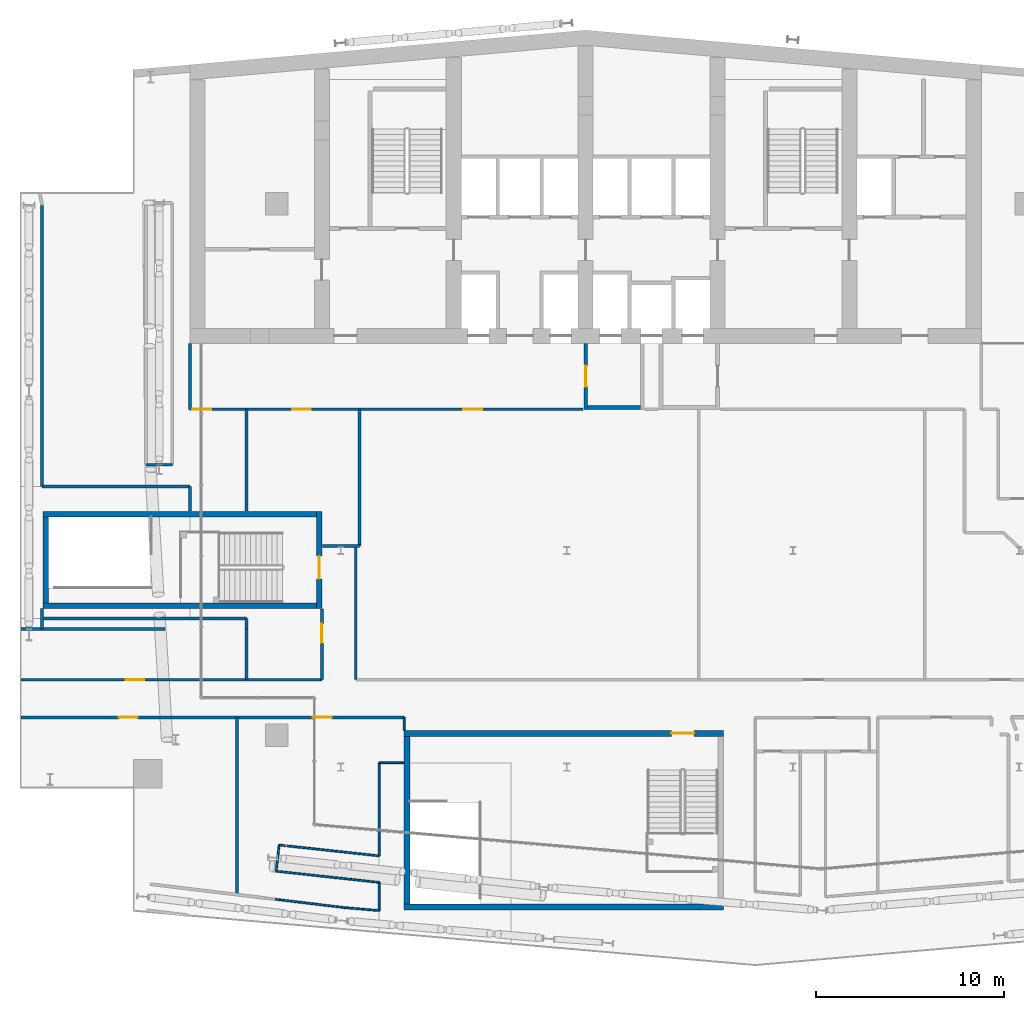
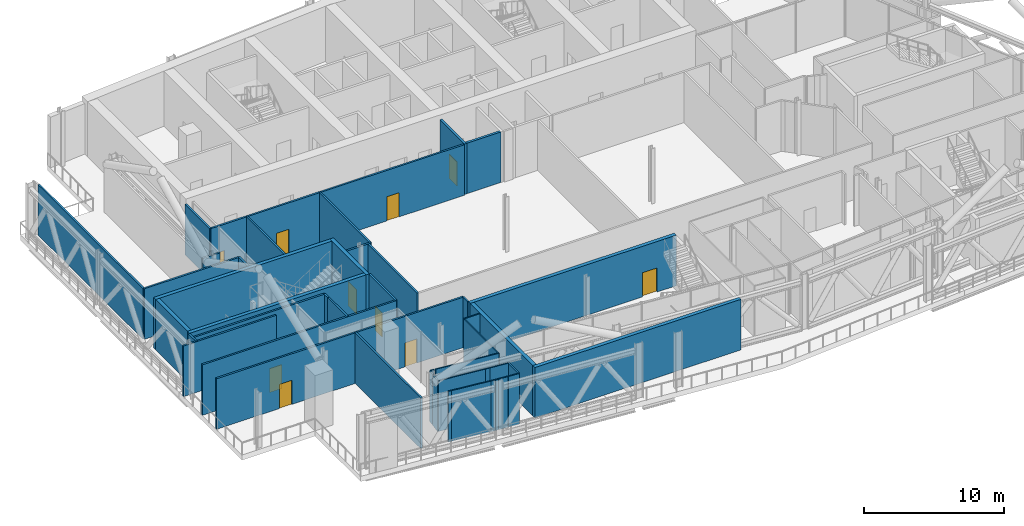
# One storey, part 13 of 35: 45 walls, 10 doors, 10 openings.
"""IFC4 building model written with IfcOpenShell, lengths in metres."""

from ifc_helpers import new_model, si_unit, direction, frame, frame_2d, origin, place, context, subcontext, project, spatial, rectangle, extrude, material, layer, layer_set, type_object, element, fill, save


model = new_model("IFC4")

# Units and contexts
model_context = context("Model", 3, precision=1e-05, world=origin(), true_north=direction((0.0, 1.0)))
body_context = subcontext(model_context, "Body", "Model", "MODEL_VIEW")
ifc_project = project(units=[si_unit("LENGTHUNIT", "METRE"), si_unit("AREAUNIT", "SQUARE_METRE"), si_unit("VOLUMEUNIT", "CUBIC_METRE"), si_unit("PLANEANGLEUNIT", "RADIAN"), si_unit("MASSUNIT", "GRAM", prefix="KILO")], contexts=[model_context])

# Site, building, storey
site_placement = place(None, origin())
site = spatial("IfcSite", under=ifc_project, at=site_placement, CompositionType="ELEMENT")
building_placement = place(site_placement, origin())
building = spatial("IfcBuilding", under=site, at=building_placement, Name="Wharfspan Tower", CompositionType="ELEMENT")
storey_placement = place(building_placement, frame((0.0, 0.0, 202.300049)))
storey = spatial("IfcBuildingStorey", under=building, at=storey_placement, Name="L50", CompositionType="ELEMENT", Elevation=202.300049)

# Wall
ifc_material_1 = material(Name="Gypsum board on steel studs", Category="steel")
ifc_layer_1 = layer(ifc_material_1, 0.100098)
ifc_layer_set_1 = layer_set([ifc_layer_1], Name="Gypsum board on steel studs")
wall_type_1 = type_object("IfcWallType", Name="Compartment wall 100 EI 60", PredefinedType="PARTITIONING", material=ifc_layer_set_1)
wall_1_placement = place(storey_placement, frame((27.36499, 13.463135, 0.0), z_axis=(0.0, 0.0, 1.0), x_axis=(0.0, 1.0, 0.0)))
element("IfcWall", 1, at=wall_1_placement, inside=storey, type_object=wall_type_1, Name="Partition L50.w045", PredefinedType="PARTITIONING", context=body_context, shape_type="SweptSolid", body=[
    extrude(rectangle(XDim=0.681885, YDim=0.100098, at=frame_2d((0.34082, 0.0))), origin(), (0.0, 0.0, 1.0), 4.399902),
])

# Wall, opening, door
ifc_material_2 = material(Name="Concrete C30/37", Category="concrete")
ifc_layer_2 = layer(ifc_material_2, 0.199951)
ifc_layer_set_2 = layer_set([ifc_layer_2], Name="Concrete C30/37")
wall_type_2 = type_object("IfcWallType", Name="Lobby wall 200", PredefinedType="PARTITIONING", material=ifc_layer_set_2)
wall_2_placement = place(storey_placement, frame((37.0, 30.5, 0.0), z_axis=(0.0, 0.0, 1.0), x_axis=(0.0, 1.0, 0.0)))
wall_2 = element("IfcWall", 2, at=wall_2_placement, inside=storey, type_object=wall_type_2, Name="sw:L50:FLFF1W", PredefinedType="PARTITIONING", context=body_context, shape_type="SweptSolid", body=[
    extrude(rectangle(XDim=3.5, YDim=0.199951, at=frame_2d((1.75, 0.0))), origin(), (0.0, 0.0, 1.0), 4.399902),
])
opening_1_placement = place(wall_2_placement, frame((1.199951, 0.0, 0.0)))
opening_1 = element("IfcOpeningElement", 3, at=opening_1_placement, cuts=wall_2, Name="Opening FL.FF1.L50", PredefinedType="OPENING", context=body_context, shape_type="SweptSolid", body=[
    extrude(rectangle(XDim=1.100098, YDim=2.100098, at=frame_2d((0.550049, 1.050049))), frame((0.0, 0.109863, 0.0), z_axis=(0.0, -1.0, 0.0), x_axis=(1.0, 0.0, 0.0)), (0.0, 0.0, 1.0), 0.219971),
])
ifc_material_3 = material(Name="Steel door leaf", Category="steel")
door_type_1 = type_object("IfcDoorType", Name="Firefighting lobby door 1100x2100", OperationType="SINGLE_SWING_LEFT", PredefinedType="DOOR", material=ifc_material_3)
door_1_placement = place(opening_1_placement, origin())
door_1 = element("IfcDoor", 4, at=door_1_placement, inside=storey, type_object=door_type_1, Name="fd:L50:FF1", OperationType="SINGLE_SWING_LEFT", OverallHeight=2.100098, OverallWidth=1.100098, PredefinedType="DOOR", context=body_context, shape_type="SweptSolid", body=[
    extrude(rectangle(XDim=1.100098, YDim=2.100098, at=frame_2d((0.550049, 1.050049))), frame((0.0, 0.024902, 0.0), z_axis=(0.0, -1.0, 0.0), x_axis=(1.0, 0.0, 0.0)), (0.0, 0.0, 1.0), 0.050049),
])
fill(opening_1, door_1)

# Walls
wall_3_placement = place(storey_placement, frame((37.100098, 30.600098, 0.0), z_axis=(0.0, 0.0, 1.0), x_axis=(1.0, 0.0, 0.0)))
element("IfcWall", 5, at=wall_3_placement, inside=storey, type_object=wall_type_2, Name="sw:L50:FLFF1F", PredefinedType="PARTITIONING", context=body_context, shape_type="SweptSolid", body=[
    extrude(rectangle(XDim=2.799805, YDim=0.199951, at=frame_2d((1.399902, 0.0))), origin(), (0.0, 0.0, 1.0), 4.399902),
])
ifc_layer_3 = layer(ifc_material_1, 0.100098)
ifc_layer_set_3 = layer_set([ifc_layer_3], Name="Gypsum board on steel studs")
wall_type_3 = type_object("IfcWallType", Name="Partition 100", PredefinedType="PARTITIONING", material=ifc_layer_set_3)
wall_4_placement = place(storey_placement, frame((20.574951, 5.97998, 0.0), z_axis=(0.0, 0.0, 1.0), x_axis=(0.1104, 0.993888, 0.0)))
element("IfcWall", 6, at=wall_4_placement, inside=storey, type_object=wall_type_3, Name="Partition L50.w024", PredefinedType="PARTITIONING", context=body_context, shape_type="SweptSolid", body=[
    extrude(rectangle(XDim=0.846924, YDim=0.100098, at=frame_2d((0.42334, 0.0))), origin(), (0.0, 0.0, 1.0), 4.399902),
])
wall_5_placement = place(storey_placement, frame((20.66748, 6.811279, 0.0), z_axis=(0.0, 0.0, 1.0), x_axis=(0.108143, 0.994134, 0.0)))
element("IfcWall", 7, at=wall_5_placement, inside=storey, type_object=wall_type_3, Name="Partition L50.w025", PredefinedType="PARTITIONING", context=body_context, shape_type="SweptSolid", body=[
    extrude(rectangle(XDim=0.562256, YDim=0.100098, at=frame_2d((0.28125, 0.0))), origin(), (0.0, 0.0, 1.0), 4.399902),
])
wall_6_placement = place(storey_placement, frame((20.784912, 4.459961, 0.0), z_axis=(0.0, 0.0, 1.0), x_axis=(-0.992562, 0.12172, 0.0)))
element("IfcWall", 8, at=wall_6_placement, inside=storey, type_object=wall_type_3, Name="Partition L50.w026", PredefinedType="PARTITIONING", context=body_context, shape_type="SweptSolid", body=[
    extrude(rectangle(XDim=0.246826, YDim=0.100098, at=frame_2d((0.123535, 0.0))), origin(), (0.0, 0.0, 1.0), 4.399902),
])
wall_7_placement = place(storey_placement, frame((21.064941, 7.334961, 0.0), z_axis=(0.0, 0.0, 1.0), x_axis=(-0.994202, 0.107562, 0.0)))
element("IfcWall", 9, at=wall_7_placement, inside=storey, type_object=wall_type_3, Name="Partition L50.w027", PredefinedType="PARTITIONING", context=body_context, shape_type="SweptSolid", body=[
    extrude(rectangle(XDim=0.326904, YDim=0.100098, at=frame_2d((0.163574, 0.0))), origin(), (0.0, 0.0, 1.0), 4.399902),
])
wall_8_placement = place(storey_placement, frame((23.814941, 4.094971, 0.0), z_axis=(0.0, 0.0, 1.0), x_axis=(-0.992822, 0.119593, 0.0)))
element("IfcWall", 10, at=wall_8_placement, inside=storey, type_object=wall_type_3, Name="Partition L50.w030", PredefinedType="PARTITIONING", context=body_context, shape_type="SweptSolid", body=[
    extrude(rectangle(XDim=3.052002, YDim=0.100098, at=frame_2d((1.525879, 0.0))), origin(), (0.0, 0.0, 1.0), 4.399902),
])
wall_9_placement = place(storey_placement, frame((24.175049, 4.050049, 0.0), z_axis=(0.0, 0.0, 1.0), x_axis=(-0.992306, 0.123786, 0.0)))
element("IfcWall", 11, at=wall_9_placement, inside=storey, type_object=wall_type_3, Name="Partition L50.w031", PredefinedType="PARTITIONING", context=body_context, shape_type="SweptSolid", body=[
    extrude(rectangle(XDim=0.362793, YDim=0.100098, at=frame_2d((0.181396, 0.0))), origin(), (0.0, 0.0, 1.0), 4.399902),
])
wall_10_placement = place(storey_placement, frame((24.25, 5.580078, 0.0), z_axis=(0.0, 0.0, 1.0), x_axis=(-0.994113, 0.108332, 0.0)))
element("IfcWall", 12, at=wall_10_placement, inside=storey, type_object=wall_type_3, Name="Partition L50.w032", PredefinedType="PARTITIONING", context=body_context, shape_type="SweptSolid", body=[
    extrude(rectangle(XDim=3.689209, YDim=0.100098, at=frame_2d((1.844727, 0.0))), origin(), (0.0, 0.0, 1.0), 4.399902),
])
wall_11_placement = place(storey_placement, frame((24.408936, 4.030029, 0.0), z_axis=(0.0, 0.0, 1.0), x_axis=(-0.996355, 0.085283, 0.0)))
element("IfcWall", 13, at=wall_11_placement, inside=storey, type_object=wall_type_3, Name="Partition L50.w033", PredefinedType="PARTITIONING", context=body_context, shape_type="SweptSolid", body=[
    extrude(rectangle(XDim=0.234863, YDim=0.100098, at=frame_2d((0.117432, 0.0))), origin(), (0.0, 0.0, 1.0), 4.399902),
])
wall_12_placement = place(storey_placement, frame((24.574951, 5.544922, 0.0), z_axis=(0.0, 0.0, 1.0), x_axis=(-0.994202, 0.107562, 0.0)))
element("IfcWall", 14, at=wall_12_placement, inside=storey, type_object=wall_type_3, Name="Partition L50.w034", PredefinedType="PARTITIONING", context=body_context, shape_type="SweptSolid", body=[
    extrude(rectangle(XDim=0.326904, YDim=0.100098, at=frame_2d((0.163574, 0.0))), origin(), (0.0, 0.0, 1.0), 4.399902),
])
wall_13_placement = place(storey_placement, frame((25.166748, 3.965088, 0.0), z_axis=(0.0, 0.0, 1.0), x_axis=(-0.996212, 0.086976, 0.0)))
element("IfcWall", 15, at=wall_13_placement, inside=storey, type_object=wall_type_3, Name="Partition L50.w038", PredefinedType="PARTITIONING", context=body_context, shape_type="SweptSolid", body=[
    extrude(rectangle(XDim=0.760742, YDim=0.100098, at=frame_2d((0.380371, 0.0))), origin(), (0.0, 0.0, 1.0), 4.399902),
])
wall_14_placement = place(storey_placement, frame((26.040039, 3.889893, 0.0), z_axis=(0.0, 0.0, 1.0), x_axis=(-0.996288, 0.086099, 0.0)))
element("IfcWall", 16, at=wall_14_placement, inside=storey, type_object=wall_type_3, Name="Partition L50.w039", PredefinedType="PARTITIONING", context=body_context, shape_type="SweptSolid", body=[
    extrude(rectangle(XDim=0.873291, YDim=0.100098, at=frame_2d((0.436523, 0.0))), origin(), (0.0, 0.0, 1.0), 4.399902),
])
wall_15_placement = place(storey_placement, frame((26.040039, 3.889893, 0.0), z_axis=(0.0, 0.0, 1.0), x_axis=(0.0, 1.0, 0.0)))
element("IfcWall", 17, at=wall_15_placement, inside=storey, type_object=wall_type_3, Name="Partition L50.w040", PredefinedType="PARTITIONING", context=body_context, shape_type="SweptSolid", body=[
    extrude(rectangle(XDim=1.495117, YDim=0.100098, at=frame_2d((0.747559, 0.0))), origin(), (0.0, 0.0, 1.0), 4.399902),
])
wall_16_placement = place(storey_placement, frame((26.040039, 5.38501, 0.0), z_axis=(0.0, 0.0, 1.0), x_axis=(-0.994063, 0.108822, 0.0)))
element("IfcWall", 18, at=wall_16_placement, inside=storey, type_object=wall_type_3, Name="Partition L50.w041", PredefinedType="PARTITIONING", context=body_context, shape_type="SweptSolid", body=[
    extrude(rectangle(XDim=1.465088, YDim=0.100098, at=frame_2d((0.732422, 0.0))), origin(), (0.0, 0.0, 1.0), 4.399902),
])
wall_17_placement = place(storey_placement, frame((26.040039, 6.794922, 0.0), z_axis=(0.0, 0.0, 1.0), x_axis=(0.0, 1.0, 0.0)))
element("IfcWall", 19, at=wall_17_placement, inside=storey, type_object=wall_type_3, Name="Partition L50.w042", PredefinedType="PARTITIONING", context=body_context, shape_type="SweptSolid", body=[
    extrude(rectangle(XDim=4.940186, YDim=0.100098, at=frame_2d((2.470215, 0.0))), origin(), (0.0, 0.0, 1.0), 4.399902),
])
wall_18_placement = place(storey_placement, frame((26.040039, 11.735107, 0.0), z_axis=(0.0, 0.0, 1.0), x_axis=(1.0, 0.0, 0.0)))
element("IfcWall", 20, at=wall_18_placement, inside=storey, type_object=wall_type_3, Name="Partition L50.w043", PredefinedType="PARTITIONING", context=body_context, shape_type="SweptSolid", body=[
    extrude(rectangle(XDim=1.304199, YDim=0.100098, at=frame_2d((0.6521, 0.0))), origin(), (0.0, 0.0, 1.0), 4.399902),
])
wall_19_placement = place(storey_placement, frame((26.040039, 6.794922, 0.0), z_axis=(0.0, 0.0, 1.0), x_axis=(-0.994174, 0.107756, 0.0)))
element("IfcWall", 21, at=wall_19_placement, inside=storey, type_object=wall_type_3, Name="Partition L50.w044", PredefinedType="PARTITIONING", context=body_context, shape_type="SweptSolid", body=[
    extrude(rectangle(XDim=4.918701, YDim=0.100098, at=frame_2d((2.459473, 0.0))), origin(), (0.0, 0.0, 1.0), 4.399902),
])

# Wall, openings, doors
ifc_layer_4 = layer(ifc_material_1, 0.149902)
ifc_layer_set_4 = layer_set([ifc_layer_4], Name="Gypsum board on steel studs")
wall_type_4 = type_object("IfcWallType", Name="Plant room wall 150 EI 120", PredefinedType="PARTITIONING", material=ifc_layer_set_4)
wall_20_placement = place(storey_placement, frame((7.02002, 14.14502, 0.0), z_axis=(0.0, 0.0, 1.0), x_axis=(1.0, 0.0, 0.0)))
wall_20 = element("IfcWall", 22, at=wall_20_placement, inside=storey, type_object=wall_type_4, Name="Partition L50.w001", PredefinedType="PARTITIONING", context=body_context, shape_type="SweptSolid", body=[
    extrude(rectangle(XDim=20.344971, YDim=0.149902, at=frame_2d((10.172363, 0.0))), origin(), (0.0, 0.0, 1.0), 4.399902),
])
opening_2_placement = place(wall_20_placement, frame((5.199951, 0.0, 0.0)))
opening_2 = element("IfcOpeningElement", 23, at=opening_2_placement, cuts=wall_20, Name="Opening BC-04", PredefinedType="OPENING", context=body_context, shape_type="SweptSolid", body=[
    extrude(rectangle(XDim=1.0, YDim=2.100098, at=frame_2d((0.5, 1.050049))), frame((0.0, 0.084961, 0.0), z_axis=(0.0, -1.0, 0.0), x_axis=(1.0, 0.0, 0.0)), (0.0, 0.0, 1.0), 0.169922),
])
opening_3_placement = place(wall_20_placement, frame((15.5, 0.0, 0.0)))
opening_3 = element("IfcOpeningElement", 24, at=opening_3_placement, cuts=wall_20, Name="Opening BC-05", PredefinedType="OPENING", context=body_context, shape_type="SweptSolid", body=[
    extrude(rectangle(XDim=1.0, YDim=2.100098, at=frame_2d((0.5, 1.050049))), frame((0.0, 0.084961, 0.0), z_axis=(0.0, -1.0, 0.0), x_axis=(1.0, 0.0, 0.0)), (0.0, 0.0, 1.0), 0.169922),
])
ifc_material_4 = material(Name="Fire-rated timber door leaf in steel frame", Category="steel")
door_type_2 = type_object("IfcDoorType", Name="Door 1000 FD30S Right", OperationType="SINGLE_SWING_RIGHT", PredefinedType="DOOR", material=ifc_material_4)
door_2_placement = place(opening_3_placement, origin())
door_2 = element("IfcDoor", 25, at=door_2_placement, inside=storey, type_object=door_type_2, Name="Door BC-05", OperationType="SINGLE_SWING_RIGHT", OverallHeight=2.100098, OverallWidth=1.0, PredefinedType="DOOR", context=body_context, shape_type="SweptSolid", body=[
    extrude(rectangle(XDim=1.0, YDim=2.100098, at=frame_2d((0.5, 1.050049))), frame((0.0, 0.024902, 0.0), z_axis=(0.0, -1.0, 0.0), x_axis=(1.0, 0.0, 0.0)), (0.0, 0.0, 1.0), 0.050049),
])
fill(opening_3, door_2)
door_type_3 = type_object("IfcDoorType", Name="Door 1000 FD60 Left", OperationType="SINGLE_SWING_LEFT", PredefinedType="DOOR", material=ifc_material_4)
door_3_placement = place(opening_2_placement, origin())
door_3 = element("IfcDoor", 26, at=door_3_placement, inside=storey, type_object=door_type_3, Name="Door BC-04", OperationType="SINGLE_SWING_LEFT", OverallHeight=2.100098, OverallWidth=1.0, PredefinedType="DOOR", context=body_context, shape_type="SweptSolid", body=[
    extrude(rectangle(XDim=1.0, YDim=2.100098, at=frame_2d((0.5, 1.050049))), frame((0.0, 0.024902, 0.0), z_axis=(0.0, -1.0, 0.0), x_axis=(1.0, 0.0, 0.0)), (0.0, 0.0, 1.0), 0.050049),
])
fill(opening_2, door_3)

# Wall, opening, door
wall_21_placement = place(storey_placement, frame((7.02002, 16.14502, 0.0), z_axis=(0.0, 0.0, 1.0), x_axis=(1.0, 0.0, 0.0)))
wall_21 = element("IfcWall", 27, at=wall_21_placement, inside=storey, type_object=wall_type_4, Name="Partition L50.w002", PredefinedType="PARTITIONING", context=body_context, shape_type="SweptSolid", body=[
    extrude(rectangle(XDim=15.97998, YDim=0.149902, at=frame_2d((7.98999, 0.0))), origin(), (0.0, 0.0, 1.0), 4.399902),
])
opening_4_placement = place(wall_21_placement, frame((5.560059, 0.0, 0.0)))
opening_4 = element("IfcOpeningElement", 28, at=opening_4_placement, cuts=wall_21, Name="Opening BC-10", PredefinedType="OPENING", context=body_context, shape_type="SweptSolid", body=[
    extrude(rectangle(XDim=1.0, YDim=2.100098, at=frame_2d((0.5, 1.050049))), frame((0.0, 0.084961, 0.0), z_axis=(0.0, -1.0, 0.0), x_axis=(1.0, 0.0, 0.0)), (0.0, 0.0, 1.0), 0.169922),
])
door_4_placement = place(opening_4_placement, origin())
door_4 = element("IfcDoor", 29, at=door_4_placement, inside=storey, type_object=door_type_3, Name="Door BC-10", OperationType="SINGLE_SWING_LEFT", OverallHeight=2.100098, OverallWidth=1.0, PredefinedType="DOOR", context=body_context, shape_type="SweptSolid", body=[
    extrude(rectangle(XDim=1.0, YDim=2.100098, at=frame_2d((0.5, 1.050049))), frame((0.0, 0.024902, 0.0), z_axis=(0.0, -1.0, 0.0), x_axis=(1.0, 0.0, 0.0)), (0.0, 0.0, 1.0), 0.050049),
])
fill(opening_4, door_4)

# Walls
wall_22_placement = place(storey_placement, frame((7.02002, 18.843262, 0.0), z_axis=(0.0, 0.0, 1.0), x_axis=(1.0, 0.0, 0.0)))
element("IfcWall", 30, at=wall_22_placement, inside=storey, type_object=wall_type_4, Name="Partition L50.w003", PredefinedType="PARTITIONING", context=body_context, shape_type="SweptSolid", body=[
    extrude(rectangle(XDim=7.639893, YDim=0.149902, at=frame_2d((3.819824, 0.0))), origin(), (0.0, 0.0, 1.0), 4.399902),
])
wall_23_placement = place(storey_placement, frame((8.149902, 18.850098, 0.0), z_axis=(0.0, 0.0, 1.0), x_axis=(0.0, 1.0, 0.0)))
element("IfcWall", 31, at=wall_23_placement, inside=storey, type_object=wall_type_4, Name="Partition L50.w005", PredefinedType="PARTITIONING", context=body_context, shape_type="SweptSolid", body=[
    extrude(rectangle(XDim=1.074951, YDim=0.149902, at=frame_2d((0.537598, 0.0))), origin(), (0.0, 0.0, 1.0), 4.399902),
])
wall_24_placement = place(storey_placement, frame((8.149902, 19.399902, 0.0), z_axis=(0.0, 0.0, 1.0), x_axis=(1.0, 0.0, 0.0)))
element("IfcWall", 32, at=wall_24_placement, inside=storey, type_object=wall_type_4, Name="Partition L50.w006", PredefinedType="PARTITIONING", context=body_context, shape_type="SweptSolid", body=[
    extrude(rectangle(XDim=10.845215, YDim=0.149902, at=frame_2d((5.422607, 0.0))), origin(), (0.0, 0.0, 1.0), 4.399902),
])
wall_25_placement = place(storey_placement, frame((8.149902, 26.399902, 0.0), z_axis=(0.0, 0.0, 1.0), x_axis=(0.0, 1.0, 0.0)))
element("IfcWall", 33, at=wall_25_placement, inside=storey, type_object=wall_type_4, Name="Partition L50.w007", PredefinedType="PARTITIONING", context=body_context, shape_type="SweptSolid", body=[
    extrude(rectangle(XDim=14.923096, YDim=0.149902, at=frame_2d((7.461426, 0.0))), origin(), (0.0, 0.0, 1.0), 4.399902),
])
wall_26_placement = place(storey_placement, frame((8.149902, 26.399902, 0.0), z_axis=(0.0, 0.0, 1.0), x_axis=(1.0, 0.0, 0.0)))
element("IfcWall", 34, at=wall_26_placement, inside=storey, type_object=wall_type_4, Name="Partition L50.w008", PredefinedType="PARTITIONING", context=body_context, shape_type="SweptSolid", body=[
    extrude(rectangle(XDim=7.850098, YDim=0.149902, at=frame_2d((3.925049, 0.0))), origin(), (0.0, 0.0, 1.0), 4.399902),
])
wall_27_placement = place(storey_placement, frame((13.659912, 27.560059, 0.0), z_axis=(0.0, 0.0, 1.0), x_axis=(1.0, 0.0, 0.0)))
element("IfcWall", 35, at=wall_27_placement, inside=storey, type_object=wall_type_4, Name="Partition L50.w011", PredefinedType="PARTITIONING", context=body_context, shape_type="SweptSolid", body=[
    extrude(rectangle(XDim=1.400146, YDim=0.149902, at=frame_2d((0.700195, 0.0))), origin(), (0.0, 0.0, 1.0), 4.399902),
])
wall_28_placement = place(storey_placement, frame((16.0, 25.094971, 0.0), z_axis=(0.0, 0.0, 1.0), x_axis=(0.0, 1.0, 0.0)))
element("IfcWall", 36, at=wall_28_placement, inside=storey, type_object=wall_type_4, Name="Partition L50.w015", PredefinedType="PARTITIONING", context=body_context, shape_type="SweptSolid", body=[
    extrude(rectangle(XDim=1.304932, YDim=0.149902, at=frame_2d((0.652344, 0.0))), origin(), (0.0, 0.0, 1.0), 4.399902),
])
wall_29_placement = place(storey_placement, frame((16.0, 30.5, 0.0), z_axis=(0.0, 0.0, 1.0), x_axis=(0.0, 1.0, 0.0)))
element("IfcWall", 37, at=wall_29_placement, inside=storey, type_object=wall_type_4, Name="Partition L50.w016", PredefinedType="PARTITIONING", context=body_context, shape_type="SweptSolid", body=[
    extrude(rectangle(XDim=3.47998, YDim=0.149902, at=frame_2d((1.73999, 0.0))), origin(), (0.0, 0.0, 1.0), 4.399902),
])

# Wall, openings, doors
wall_30_placement = place(storey_placement, frame((16.0, 30.5, 0.0), z_axis=(0.0, 0.0, 1.0), x_axis=(1.0, 0.0, 0.0)))
wall_30 = element("IfcWall", 38, at=wall_30_placement, inside=storey, type_object=wall_type_4, Name="Partition L50.w017", PredefinedType="PARTITIONING", context=body_context, shape_type="SweptSolid", body=[
    extrude(rectangle(XDim=20.850098, YDim=0.149902, at=frame_2d((10.425049, 0.0))), origin(), (0.0, 0.0, 1.0), 4.399902),
])
opening_5_placement = place(wall_30_placement, frame((0.120117, 0.0, 0.0)))
opening_5 = element("IfcOpeningElement", 39, at=opening_5_placement, cuts=wall_30, Name="Opening BC-17", PredefinedType="OPENING", context=body_context, shape_type="SweptSolid", body=[
    extrude(rectangle(XDim=1.0, YDim=2.100098, at=frame_2d((0.5, 1.050049))), frame((0.0, 0.084961, 0.0), z_axis=(0.0, -1.0, 0.0), x_axis=(1.0, 0.0, 0.0)), (0.0, 0.0, 1.0), 0.169922),
])
opening_6_placement = place(wall_30_placement, frame((5.419922, 0.0, 0.0)))
opening_6 = element("IfcOpeningElement", 40, at=opening_6_placement, cuts=wall_30, Name="Opening BC-18", PredefinedType="OPENING", context=body_context, shape_type="SweptSolid", body=[
    extrude(rectangle(XDim=1.0, YDim=2.100098, at=frame_2d((0.5, 1.050049))), frame((0.0, 0.084961, 0.0), z_axis=(0.0, -1.0, 0.0), x_axis=(1.0, 0.0, 0.0)), (0.0, 0.0, 1.0), 0.169922),
])
opening_7_placement = place(wall_30_placement, frame((14.5, 0.0, 0.0)))
opening_7 = element("IfcOpeningElement", 41, at=opening_7_placement, cuts=wall_30, Name="Opening BC-19", PredefinedType="OPENING", context=body_context, shape_type="SweptSolid", body=[
    extrude(rectangle(XDim=1.0, YDim=2.100098, at=frame_2d((0.5, 1.050049))), frame((0.0, 0.084961, 0.0), z_axis=(0.0, -1.0, 0.0), x_axis=(1.0, 0.0, 0.0)), (0.0, 0.0, 1.0), 0.169922),
])
door_5_placement = place(opening_5_placement, origin())
door_5 = element("IfcDoor", 42, at=door_5_placement, inside=storey, type_object=door_type_3, Name="Door BC-17", OperationType="SINGLE_SWING_LEFT", OverallHeight=2.100098, OverallWidth=1.0, PredefinedType="DOOR", context=body_context, shape_type="SweptSolid", body=[
    extrude(rectangle(XDim=1.0, YDim=2.100098, at=frame_2d((0.5, 1.050049))), frame((0.0, 0.024902, 0.0), z_axis=(0.0, -1.0, 0.0), x_axis=(1.0, 0.0, 0.0)), (0.0, 0.0, 1.0), 0.050049),
])
fill(opening_5, door_5)
door_6_placement = place(opening_6_placement, origin())
door_6 = element("IfcDoor", 43, at=door_6_placement, inside=storey, type_object=door_type_3, Name="Door BC-18", OperationType="SINGLE_SWING_LEFT", OverallHeight=2.100098, OverallWidth=1.0, PredefinedType="DOOR", context=body_context, shape_type="SweptSolid", body=[
    extrude(rectangle(XDim=1.0, YDim=2.100098, at=frame_2d((0.5, 1.050049))), frame((0.0, 0.024902, 0.0), z_axis=(0.0, -1.0, 0.0), x_axis=(1.0, 0.0, 0.0)), (0.0, 0.0, 1.0), 0.050049),
])
fill(opening_6, door_6)
door_7_placement = place(opening_7_placement, origin())
door_7 = element("IfcDoor", 44, at=door_7_placement, inside=storey, type_object=door_type_3, Name="Door BC-19", OperationType="SINGLE_SWING_LEFT", OverallHeight=2.100098, OverallWidth=1.0, PredefinedType="DOOR", context=body_context, shape_type="SweptSolid", body=[
    extrude(rectangle(XDim=1.0, YDim=2.100098, at=frame_2d((0.5, 1.050049))), frame((0.0, 0.024902, 0.0), z_axis=(0.0, -1.0, 0.0), x_axis=(1.0, 0.0, 0.0)), (0.0, 0.0, 1.0), 0.050049),
])
fill(opening_7, door_7)

# Walls
wall_31_placement = place(storey_placement, frame((18.5, 4.736328, 0.0), z_axis=(0.0, 0.0, 1.0), x_axis=(0.0, 1.0, 0.0)))
element("IfcWall", 45, at=wall_31_placement, inside=storey, type_object=wall_type_4, Name="Partition L50.w018", PredefinedType="PARTITIONING", context=body_context, shape_type="SweptSolid", body=[
    extrude(rectangle(XDim=9.408691, YDim=0.149902, at=frame_2d((4.704346, 0.0))), origin(), (0.0, 0.0, 1.0), 4.399902),
])
wall_32_placement = place(storey_placement, frame((19.0, 25.094971, 0.0), z_axis=(0.0, 0.0, 1.0), x_axis=(0.0, 1.0, 0.0)))
element("IfcWall", 46, at=wall_32_placement, inside=storey, type_object=wall_type_4, Name="Partition L50.w019", PredefinedType="PARTITIONING", context=body_context, shape_type="SweptSolid", body=[
    extrude(rectangle(XDim=5.405029, YDim=0.149902, at=frame_2d((2.702637, 0.0))), origin(), (0.0, 0.0, 1.0), 4.399902),
])
wall_33_placement = place(storey_placement, frame((19.0, 16.14502, 0.0), z_axis=(0.0, 0.0, 1.0), x_axis=(0.0, 1.0, 0.0)))
element("IfcWall", 47, at=wall_33_placement, inside=storey, type_object=wall_type_4, Name="Partition L50.w020", PredefinedType="PARTITIONING", context=body_context, shape_type="SweptSolid", body=[
    extrude(rectangle(XDim=2.699951, YDim=0.149902, at=frame_2d((1.350098, 0.0))), origin(), (0.0, 0.0, 1.0), 4.399902),
])
wall_34_placement = place(storey_placement, frame((19.0, 18.844971, 0.0), z_axis=(0.0, 0.0, 1.0), x_axis=(-0.008877, 0.999965, 0.0)))
element("IfcWall", 48, at=wall_34_placement, inside=storey, type_object=wall_type_4, Name="Partition L50.w021", PredefinedType="PARTITIONING", context=body_context, shape_type="SweptSolid", body=[
    extrude(rectangle(XDim=0.550049, YDim=0.149902, at=frame_2d((0.274902, 0.0))), origin(), (0.0, 0.0, 1.0), 4.399902),
])

# Wall, opening, door
wall_35_placement = place(storey_placement, frame((23.0, 16.14502, 0.0), z_axis=(0.0, 0.0, 1.0), x_axis=(0.0, 1.0, 0.0)))
wall_35 = element("IfcWall", 49, at=wall_35_placement, inside=storey, type_object=wall_type_4, Name="Partition L50.w028", PredefinedType="PARTITIONING", context=body_context, shape_type="SweptSolid", body=[
    extrude(rectangle(XDim=3.76001, YDim=0.149902, at=frame_2d((1.879883, 0.0))), origin(), (0.0, 0.0, 1.0), 4.399902),
])
opening_8_placement = place(wall_35_placement, frame((1.959961, 0.0, 0.0)))
opening_8 = element("IfcOpeningElement", 50, at=opening_8_placement, cuts=wall_35, Name="Opening BC-15", PredefinedType="OPENING", context=body_context, shape_type="SweptSolid", body=[
    extrude(rectangle(XDim=1.0, YDim=2.100098, at=frame_2d((0.5, 1.050049))), frame((0.0, 0.084961, 0.0), z_axis=(0.0, -1.0, 0.0), x_axis=(1.0, 0.0, 0.0)), (0.0, 0.0, 1.0), 0.169922),
])
door_type_4 = type_object("IfcDoorType", Name="Door 1000 FD60 Right", OperationType="SINGLE_SWING_RIGHT", PredefinedType="DOOR", material=ifc_material_4)
door_8_placement = place(opening_8_placement, origin())
door_8 = element("IfcDoor", 51, at=door_8_placement, inside=storey, type_object=door_type_4, Name="Door BC-15", OperationType="SINGLE_SWING_RIGHT", OverallHeight=2.100098, OverallWidth=1.0, PredefinedType="DOOR", context=body_context, shape_type="SweptSolid", body=[
    extrude(rectangle(XDim=1.0, YDim=2.100098, at=frame_2d((0.5, 1.050049))), frame((0.0, 0.024902, 0.0), z_axis=(0.0, -1.0, 0.0), x_axis=(1.0, 0.0, 0.0)), (0.0, 0.0, 1.0), 0.050049),
])
fill(opening_8, door_8)

# Walls
wall_36_placement = place(storey_placement, frame((23.02002, 23.25, 0.0), z_axis=(0.0, 0.0, 1.0), x_axis=(1.0, 0.0, 0.0)))
element("IfcWall", 52, at=wall_36_placement, inside=storey, type_object=wall_type_4, Name="Partition L50.w029", PredefinedType="PARTITIONING", context=body_context, shape_type="SweptSolid", body=[
    extrude(rectangle(XDim=1.97998, YDim=0.149902, at=frame_2d((0.98999, 0.0))), origin(), (0.0, 0.0, 1.0), 4.399902),
])
wall_37_placement = place(storey_placement, frame((24.800049, 16.14502, 0.0), z_axis=(0.0, 0.0, 1.0), x_axis=(0.0, 1.0, 0.0)))
element("IfcWall", 53, at=wall_37_placement, inside=storey, type_object=wall_type_4, Name="Partition L50.w035", PredefinedType="PARTITIONING", context=body_context, shape_type="SweptSolid", body=[
    extrude(rectangle(XDim=7.10498, YDim=0.149902, at=frame_2d((3.55249, 0.0))), origin(), (0.0, 0.0, 1.0), 4.399902),
])
wall_38_placement = place(storey_placement, frame((25.0, 23.25, 0.0), z_axis=(0.0, 0.0, 1.0), x_axis=(0.0, 1.0, 0.0)))
element("IfcWall", 54, at=wall_38_placement, inside=storey, type_object=wall_type_4, Name="Partition L50.w037", PredefinedType="PARTITIONING", context=body_context, shape_type="SweptSolid", body=[
    extrude(rectangle(XDim=7.25, YDim=0.149902, at=frame_2d((3.625, 0.0))), origin(), (0.0, 0.0, 1.0), 4.399902),
])

# Wall, opening, door
ifc_material_5 = material(Name="Concrete C40/50", Category="concrete")
ifc_layer_5 = layer(ifc_material_5, 0.300049)
ifc_layer_set_5 = layer_set([ifc_layer_5], Name="Concrete C40/50")
wall_type_5 = type_object("IfcWallType", Name="Stair core wall 300", PredefinedType="SHEAR", material=ifc_layer_set_5)
wall_39_placement = place(storey_placement, frame((22.850098, 19.925049, 0.0), z_axis=(0.0, 0.0, 1.0), x_axis=(0.0, 1.0, 0.0)))
wall_39 = element("IfcWall", 55, at=wall_39_placement, inside=storey, type_object=wall_type_5, Name="ST3 stair enclosure wall L50", PredefinedType="SHEAR", context=body_context, shape_type="SweptSolid", body=[
    extrude(rectangle(XDim=5.149902, YDim=0.300049, at=frame_2d((2.574951, 0.0))), origin(), (0.0, 0.0, 1.0), 4.399902),
])
opening_9_placement = place(wall_39_placement, frame((1.574951, 0.0, 0.0)))
opening_9 = element("IfcOpeningElement", 56, at=opening_9_placement, cuts=wall_39, Name="Opening SD3.L50", PredefinedType="OPENING", context=body_context, shape_type="SweptSolid", body=[
    extrude(rectangle(XDim=1.199951, YDim=2.100098, at=frame_2d((0.600098, 1.050049))), frame((0.0, 0.159912, 0.0), z_axis=(0.0, -1.0, 0.0), x_axis=(1.0, 0.0, 0.0)), (0.0, 0.0, 1.0), 0.320068),
])
door_type_5 = type_object("IfcDoorType", Name="Stair door 1200x2100", OperationType="SINGLE_SWING_LEFT", PredefinedType="DOOR", material=ifc_material_3)
door_9_placement = place(opening_9_placement, origin())
door_9 = element("IfcDoor", 57, at=door_9_placement, inside=storey, type_object=door_type_5, Name="sd:L50:ST3z4", OperationType="SINGLE_SWING_RIGHT", OverallHeight=2.100098, OverallWidth=1.199951, PredefinedType="DOOR", context=body_context, shape_type="SweptSolid", body=[
    extrude(rectangle(XDim=1.199951, YDim=2.100098, at=frame_2d((0.600098, 1.050049))), frame((0.0, 0.024902, 0.0), z_axis=(0.0, -1.0, 0.0), x_axis=(1.0, 0.0, 0.0)), (0.0, 0.0, 1.0), 0.050049),
])
fill(opening_9, door_9)

wall_40_placement = place(storey_placement, frame((27.364258, 13.293213, 0.0), z_axis=(0.0, 0.0, 1.0), x_axis=(1.0, 0.0, 0.0)))
wall_40 = element("IfcWall", 58, at=wall_40_placement, inside=storey, type_object=wall_type_5, Name="ST4 stair enclosure wall L50", PredefinedType="SHEAR", context=body_context, shape_type="SweptSolid", body=[
    extrude(rectangle(XDim=16.962891, YDim=0.300049, at=frame_2d((8.481445, 0.0))), origin(), (0.0, 0.0, 1.0), 4.399902),
])
opening_10_placement = place(wall_40_placement, frame((14.187988, 0.0, 0.0)))
opening_10 = element("IfcOpeningElement", 59, at=opening_10_placement, cuts=wall_40, Name="Opening SD4.L50", PredefinedType="OPENING", context=body_context, shape_type="SweptSolid", body=[
    extrude(rectangle(XDim=1.199951, YDim=2.100098, at=frame_2d((0.600098, 1.050049))), frame((0.0, 0.159912, 0.0), z_axis=(0.0, -1.0, 0.0), x_axis=(1.0, 0.0, 0.0)), (0.0, 0.0, 1.0), 0.320068),
])
door_10_placement = place(opening_10_placement, origin())
door_10 = element("IfcDoor", 60, at=door_10_placement, inside=storey, type_object=door_type_5, Name="sd:L50:ST4z4", OperationType="SINGLE_SWING_RIGHT", OverallHeight=2.100098, OverallWidth=1.199951, PredefinedType="DOOR", context=body_context, shape_type="SweptSolid", body=[
    extrude(rectangle(XDim=1.199951, YDim=2.100098, at=frame_2d((0.600098, 1.050049))), frame((0.0, 0.024902, 0.0), z_axis=(0.0, -1.0, 0.0), x_axis=(1.0, 0.0, 0.0)), (0.0, 0.0, 1.0), 0.050049),
])
fill(opening_10, door_10)

# Walls
for number, where, z_axis, x_axis, name in (
    (61, (8.199951, 20.074951, 0.0), (0.0, 0.0, 1.0), (1.0, 0.0, 0.0), "ST3 stair enclosure wall L50"),
    (62, (8.199951, 24.925049, 0.0), (0.0, 0.0, 1.0), (1.0, 0.0, 0.0), "ST3 stair enclosure wall L50"),
):
    element("IfcWall", number, at=place(storey_placement, frame(where, z_axis=z_axis, x_axis=x_axis)), inside=storey, type_object=wall_type_5, Name=name, PredefinedType="SHEAR", context=body_context, shape_type="SweptSolid", body=[
        extrude(rectangle(XDim=14.5, YDim=0.300049, at=frame_2d((7.25, 0.0))), origin(), (0.0, 0.0, 1.0), 4.399902),
    ])
wall_41_placement = place(storey_placement, frame((8.350098, 20.225098, 0.0), z_axis=(0.0, 0.0, 1.0), x_axis=(0.0, 1.0, 0.0)))
element("IfcWall", 63, at=wall_41_placement, inside=storey, type_object=wall_type_5, Name="ST3 stair enclosure wall L50", PredefinedType="SHEAR", context=body_context, shape_type="SweptSolid", body=[
    extrude(rectangle(XDim=4.549805, YDim=0.300049, at=frame_2d((2.274902, 0.0))), origin(), (0.0, 0.0, 1.0), 4.399902),
])
wall_42_placement = place(storey_placement, frame((27.364258, 4.084229, 0.0), z_axis=(0.0, 0.0, 1.0), x_axis=(1.0, 0.0, 0.0)))
element("IfcWall", 64, at=wall_42_placement, inside=storey, type_object=wall_type_5, Name="ST4 stair enclosure wall L50", PredefinedType="SHEAR", context=body_context, shape_type="SweptSolid", body=[
    extrude(rectangle(XDim=16.962891, YDim=0.300049, at=frame_2d((8.481445, 0.0))), origin(), (0.0, 0.0, 1.0), 4.399902),
])
wall_43_placement = place(storey_placement, frame((27.51416, 4.234375, 0.0), z_axis=(0.0, 0.0, 1.0), x_axis=(0.0, 1.0, 0.0)))
element("IfcWall", 65, at=wall_43_placement, inside=storey, type_object=wall_type_5, Name="ST4 stair enclosure wall L50", PredefinedType="SHEAR", context=body_context, shape_type="SweptSolid", body=[
    extrude(rectangle(XDim=8.908936, YDim=0.300049, at=frame_2d((4.45459, 0.0))), origin(), (0.0, 0.0, 1.0), 4.399902),
])

save(model, "model.ifc")
